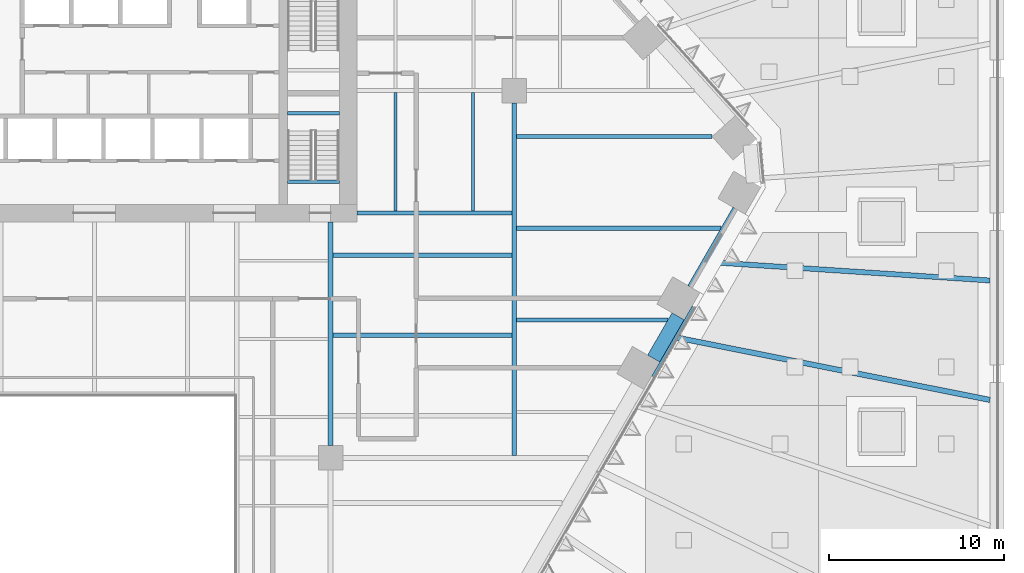
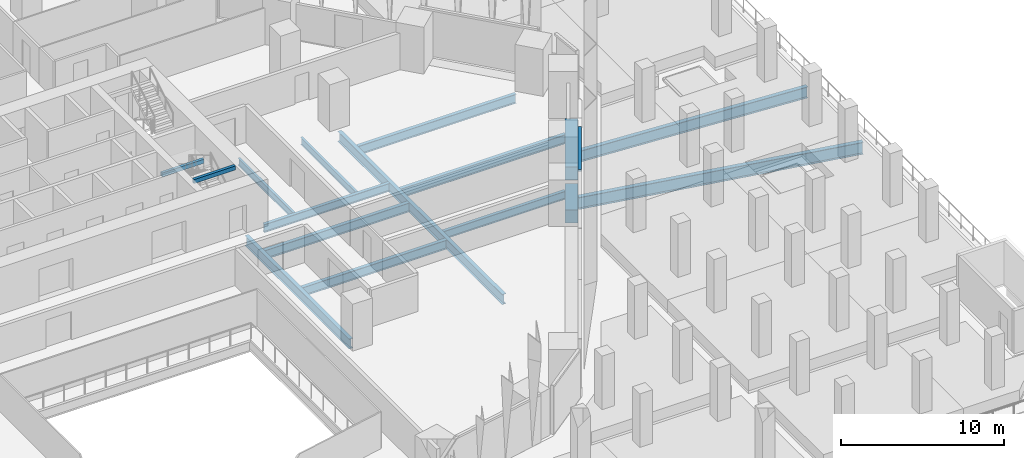
# One storey, part 14 of 51: 16 beams, 1 member, 1 element without a shape of its own.
"""IFC4 building model written with IfcOpenShell, lengths in metres."""

from ifc_helpers import new_model, si_unit, direction, frame, origin, origin_2d, place, context, subcontext, project, spatial, rectangle, i_section, extrude, material, layer, layer_set, material_profile, profile_set, type_object, element, aggregate, save


model = new_model("IFC4")

# Units and contexts
model_context = context("Model", 3, precision=1e-05, world=origin(), true_north=direction((0.0, 1.0)))
body_context = subcontext(model_context, "Body", "Model", "MODEL_VIEW")
ifc_project = project(units=[si_unit("LENGTHUNIT", "METRE"), si_unit("AREAUNIT", "SQUARE_METRE"), si_unit("VOLUMEUNIT", "CUBIC_METRE"), si_unit("PLANEANGLEUNIT", "RADIAN"), si_unit("MASSUNIT", "GRAM", prefix="KILO")], contexts=[model_context])

# Site, building, storey
site_placement = place(None, origin())
site = spatial("IfcSite", under=ifc_project, at=site_placement, CompositionType="ELEMENT")
building_placement = place(site_placement, origin())
building = spatial("IfcBuilding", under=site, at=building_placement, Name="Isthmus Gate Tower", CompositionType="ELEMENT")
storey_placement = place(building_placement, frame((0.0, 0.0, 36.0)))
storey = spatial("IfcBuildingStorey", under=building, at=storey_placement, Name="L06", CompositionType="ELEMENT", Elevation=36.0)

# Curtain wall, member
ifc_material_1 = material(Name="Aluminium, pale champagne anodised", Category="aluminium")
ifc_layer = layer(ifc_material_1, 0.199951171875)
ifc_layer_set = layer_set([ifc_layer], Name="CW-1 UNITISED CURTAIN WALL 200 DEEP")
curtain_wall_type = type_object("IfcCurtainWallType", Name="CW-1 UNITISED CURTAIN WALL 200 DEEP", PredefinedType="NOTDEFINED", material=ifc_layer_set)
curtain_wall_placement = place(storey_placement, origin())
curtain_wall = element("IfcCurtainWall", 1, at=curtain_wall_placement, inside=storey, type_object=curtain_wall_type, Name="CW-1 SE L06", PredefinedType="NOTDEFINED")
ifc_material_2 = material(Name="Aluminium, pale champagne anodised", Category="aluminium")
ifc_material_profile_1 = material_profile(ifc_material_2, rectangle(XDim=0.199951171875, YDim=0.14990234375, at=origin_2d()), Name="200x150")
ifc_profile_set_1 = profile_set([ifc_material_profile_1], Name="Aluminium, pale champagne anodised")
member_type = type_object("IfcMemberType", Name="CW-1 TRANSOM 200 X 150", PredefinedType="USERDEFINED", material=ifc_profile_set_1)
member_placement = place(storey_placement, frame((31.956298828125, -8.85009765625, 3.574951171875), z_axis=(0.499992401796, 0.866029790565, 0.0), x_axis=(-0.866029790565, 0.499992401796, 0.0)))
member = element("IfcMember", 2, at=member_placement, type_object=member_type, Name="CW-1 transom", ObjectType="TRANSOM", PredefinedType="USERDEFINED", context=body_context, shape_type="SweptSolid", body=[
    extrude(rectangle(XDim=0.199951171875, YDim=0.14990234375, at=origin_2d()), origin(), (0.0, 0.0, 1.0), 4.5927734375),
])
aggregate(curtain_wall, [member])

# Beams
ifc_material_3 = material(Name="Concrete f'c 70 MPa", Category="concrete")
ifc_material_profile_2 = material_profile(ifc_material_3, rectangle(XDim=0.800048828125, YDim=1.0, at=origin_2d()), Name="RC 800X1000")
ifc_profile_set_2 = profile_set([ifc_material_profile_2], Name="Concrete f'c 70 MPa")
beam_type_1 = type_object("IfcBeamType", Name="RC SPANDREL 800 X 1000", PredefinedType="SPANDREL", material=ifc_profile_set_2)
beam_1_placement = place(storey_placement, frame((36.8544921875, 0.6337890625, -0.5), z_axis=(-0.50000453793, -0.866022783793, 0.0), x_axis=(0.866022783793, -0.50000453793, 0.0)))
element("IfcBeam", 3, at=beam_1_placement, inside=storey, type_object=beam_type_1, Name="str-spandrel-L06-06", PredefinedType="SPANDREL", context=body_context, shape_type="SweptSolid", body=[
    extrude(rectangle(XDim=0.800048828125, YDim=1.0, at=origin_2d()), origin(), (0.0, 0.0, 1.0), 5.16943359375),
])
beam_2_placement = place(storey_placement, frame((33.369873046875, -5.40185546875, -0.5), z_axis=(-0.500012514453, -0.866018178441, 0.0), x_axis=(0.866018178441, -0.500012514453, 0.0)))
element("IfcBeam", 4, at=beam_2_placement, inside=storey, type_object=beam_type_1, Name="str-spandrel-L06-07", PredefinedType="SPANDREL", context=body_context, shape_type="SweptSolid", body=[
    extrude(rectangle(XDim=0.800048828125, YDim=1.0, at=origin_2d()), origin(), (0.0, 0.0, 1.0), 2.79296875),
])
ifc_material_4 = material(Name="Concrete f'c 40 MPa", Category="concrete")
ifc_material_profile_3 = material_profile(ifc_material_4, rectangle(XDim=0.199951171875, YDim=0.300048828125, at=origin_2d()), Name="STAIR LANDING BEAM RC 200 X 300")
ifc_profile_set_3 = profile_set([ifc_material_profile_3], Name="Concrete f'c 40 MPa")
beam_type_2 = type_object("IfcBeamType", Name="STAIR LANDING BEAM RC 200 X 300", PredefinedType="BEAM", material=ifc_profile_set_3)
for number, where, z_axis, x_axis, name in (
    (5, (11.050048828125, 6.199951171875, 1.47509765625), (1.0, 0.0, 0.0), (0.0, 1.0, 0.0), "L06 ST8 landing beam 1"),
    (6, (11.050048828125, 2.2998046875, 3.35009765625), (1.0, 0.0, 0.0), (0.0, 1.0, 0.0), "L06 ST8 floor-edge seat beam"),
):
    element("IfcBeam", number, at=place(storey_placement, frame(where, z_axis=z_axis, x_axis=x_axis)), inside=storey, type_object=beam_type_2, Name=name, PredefinedType="BEAM", context=body_context, shape_type="SweptSolid", body=[
        extrude(rectangle(XDim=0.199951171875, YDim=0.300048828125, at=origin_2d()), origin(), (0.0, 0.0, 1.0), 2.949951171875),
    ])
ifc_material_5 = material(Name="Structural steel ASTM A992 Gr 50", Category="steel")
ifc_material_profile_4 = material_profile(ifc_material_5, i_section(OverallWidth=0.1650390625, OverallDepth=0.52392578125, WebThickness=0.009521484375, FlangeThickness=0.010986328125, at=origin_2d()), Name="W21X44")
ifc_profile_set_4 = profile_set([ifc_material_profile_4], Name="Structural steel ASTM A992 Gr 50")
beam_type_3 = type_object("IfcBeamType", Name="STEEL FLOOR BEAM W21X44", PredefinedType="JOIST", material=ifc_profile_set_4)
for number, where, z_axis, x_axis, name in (
    (7, (17.216552734375, 0.6142578125, -0.411865234375), (0.0, 1.0, 0.0), (-1.0, 0.0, 0.0), "str-beam-L06-31-00"),
    (8, (21.64990234375, 0.6142578125, -0.411865234375), (0.0, 1.0, 0.0), (-1.0, 0.0, 0.0), "str-beam-L06-31-01"),
):
    element("IfcBeam", number, at=place(storey_placement, frame(where, z_axis=z_axis, x_axis=x_axis)), inside=storey, type_object=beam_type_3, Name=name, PredefinedType="JOIST", context=body_context, shape_type="SweptSolid", body=[
        extrude(i_section(OverallWidth=0.1650390625, OverallDepth=0.52392578125, WebThickness=0.009521484375, FlangeThickness=0.010986328125, at=origin_2d()), origin(), (0.0, 0.0, 1.0), 6.771484375),
    ])
ifc_material_6 = material(Name="Structural steel ASTM A992 Gr 50", Category="steel")
ifc_material_profile_5 = material_profile(ifc_material_6, i_section(OverallWidth=0.228515625, OverallDepth=0.603271484375, WebThickness=0.010986328125, FlangeThickness=0.014404296875, at=origin_2d()), Name="W24X68")
ifc_profile_set_5 = profile_set([ifc_material_profile_5], Name="Structural steel ASTM A992 Gr 50")
beam_type_4 = type_object("IfcBeamType", Name="STEEL FLOOR BEAM W24X68", PredefinedType="JOIST", material=ifc_profile_set_5)
beam_3_placement = place(storey_placement, frame((24.13330078125, -5.625, -0.45166015625), z_axis=(1.0, 0.0, 0.0), x_axis=(0.0, 1.0, 0.0)))
element("IfcBeam", 9, at=beam_3_placement, inside=storey, type_object=beam_type_4, Name="str-beam-L06-34-01", PredefinedType="JOIST", context=body_context, shape_type="SweptSolid", body=[
    extrude(i_section(OverallWidth=0.228515625, OverallDepth=0.603271484375, WebThickness=0.010986328125, FlangeThickness=0.014404296875, at=origin_2d()), origin(), (0.0, 0.0, 1.0), 8.645751953125),
])
ifc_material_7 = material(Name="Structural steel ASTM A992 Gr 50", Category="steel")
ifc_material_profile_6 = material_profile(ifc_material_7, i_section(OverallWidth=0.25390625, OverallDepth=0.679443359375, WebThickness=0.010986328125, FlangeThickness=0.015869140625, at=origin_2d()), Name="W27X84")
ifc_profile_set_6 = profile_set([ifc_material_profile_6], Name="Structural steel ASTM A992 Gr 50")
beam_type_5 = type_object("IfcBeamType", Name="STEEL FLOOR BEAM W27X84", PredefinedType="JOIST", material=ifc_profile_set_6)
for number, where, z_axis, x_axis, name in (
    (10, (13.6318359375, -6.490478515625, -0.48974609375), (1.0, 0.0, 0.0), (0.0, 1.0, 0.0), "str-beam-L06-27-01"),
    (11, (13.6318359375, -1.90625, -0.48974609375), (1.0, 0.0, 0.0), (0.0, 1.0, 0.0), "str-beam-L06-27-02"),
):
    element("IfcBeam", number, at=place(storey_placement, frame(where, z_axis=z_axis, x_axis=x_axis)), inside=storey, type_object=beam_type_5, Name=name, PredefinedType="JOIST", context=body_context, shape_type="SweptSolid", body=[
        extrude(i_section(OverallWidth=0.25390625, OverallDepth=0.679443359375, WebThickness=0.010986328125, FlangeThickness=0.015869140625, at=origin_2d()), origin(), (0.0, 0.0, 1.0), 10.23486328125),
    ])
beam_4_placement = place(storey_placement, frame((24.13330078125, -0.375, -0.48974609375), z_axis=(1.0, 0.0, 0.0), x_axis=(0.0, 1.0, 0.0)))
element("IfcBeam", 12, at=beam_4_placement, inside=storey, type_object=beam_type_5, Name="str-beam-L06-34-02", PredefinedType="JOIST", context=body_context, shape_type="SweptSolid", body=[
    extrude(i_section(OverallWidth=0.25390625, OverallDepth=0.679443359375, WebThickness=0.010986328125, FlangeThickness=0.015869140625, at=origin_2d()), origin(), (0.0, 0.0, 1.0), 11.6767578125),
])
beam_5_placement = place(storey_placement, frame((24.13330078125, 4.875, -0.48974609375), z_axis=(1.0, 0.0, 0.0), x_axis=(0.0, 1.0, 0.0)))
element("IfcBeam", 13, at=beam_5_placement, inside=storey, type_object=beam_type_5, Name="str-beam-L06-34-03", PredefinedType="JOIST", context=body_context, shape_type="SweptSolid", body=[
    extrude(i_section(OverallWidth=0.25390625, OverallDepth=0.679443359375, WebThickness=0.010986328125, FlangeThickness=0.015869140625, at=origin_2d()), origin(), (0.0, 0.0, 1.0), 11.185302734375),
])
ifc_material_8 = material(Name="Structural steel ASTM A992 Gr 50", Category="steel")
ifc_material_profile_7 = material_profile(ifc_material_8, i_section(OverallWidth=0.228515625, OverallDepth=0.6064453125, WebThickness=0.010986328125, FlangeThickness=0.017578125, at=origin_2d()), Name="W24X76")
ifc_profile_set_7 = profile_set([ifc_material_profile_7], Name="Structural steel ASTM A992 Gr 50")
beam_type_6 = type_object("IfcBeamType", Name="STEEL GIRDER W24X76", PredefinedType="BEAM", material=ifc_profile_set_7)
beam_6_placement = place(storey_placement, frame((15.0, 0.5, -0.453125), z_axis=(1.0, 0.0, 0.0), x_axis=(0.0, 1.0, 0.0)))
element("IfcBeam", 14, at=beam_6_placement, inside=storey, type_object=beam_type_6, Name="str-girder-L06-39", PredefinedType="BEAM", context=body_context, shape_type="SweptSolid", body=[
    extrude(i_section(OverallWidth=0.228515625, OverallDepth=0.6064453125, WebThickness=0.010986328125, FlangeThickness=0.017578125, at=origin_2d()), origin(), (0.0, 0.0, 1.0), 8.86669921875),
])
ifc_material_9 = material(Name="Structural steel ASTM A992 Gr 50", Category="steel")
ifc_material_profile_8 = material_profile(ifc_material_9, i_section(OverallWidth=0.2666015625, OverallDepth=0.7587890625, WebThickness=0.014404296875, FlangeThickness=0.01904296875, at=origin_2d()), Name="W30X108")
ifc_profile_set_8 = profile_set([ifc_material_profile_8], Name="Structural steel ASTM A992 Gr 50")
beam_type_7 = type_object("IfcBeamType", Name="STEEL GIRDER W30X108", PredefinedType="BEAM", material=ifc_profile_set_8)
beam_7_placement = place(storey_placement, frame((24.0, -13.36669921875, -0.529296875), z_axis=(0.0, 1.0, 0.0), x_axis=(-1.0, 0.0, 0.0)))
element("IfcBeam", 15, at=beam_7_placement, inside=storey, type_object=beam_type_7, Name="str-girder-L06-35", PredefinedType="BEAM", context=body_context, shape_type="SweptSolid", body=[
    extrude(i_section(OverallWidth=0.2666015625, OverallDepth=0.7587890625, WebThickness=0.014404296875, FlangeThickness=0.01904296875, at=origin_2d()), origin(), (0.0, 0.0, 1.0), 20.166748046875),
])
ifc_material_10 = material(Name="Structural steel ASTM A992 Gr 50", Category="steel")
ifc_material_profile_9 = material_profile(ifc_material_10, i_section(OverallWidth=0.263427734375, OverallDepth=0.749267578125, WebThickness=0.0126953125, FlangeThickness=0.015869140625, at=origin_2d()), Name="W30X90")
ifc_profile_set_9 = profile_set([ifc_material_profile_9], Name="Structural steel ASTM A992 Gr 50")
beam_type_8 = type_object("IfcBeamType", Name="STEEL GIRDER W30X90", PredefinedType="BEAM", material=ifc_profile_set_9)
beam_8_placement = place(storey_placement, frame((13.5, -12.800048828125, -0.524658203125), z_axis=(0.0, 1.0, 0.0), x_axis=(-1.0, 0.0, 0.0)))
element("IfcBeam", 16, at=beam_8_placement, inside=storey, type_object=beam_type_8, Name="str-girder-L06-32", PredefinedType="BEAM", context=body_context, shape_type="SweptSolid", body=[
    extrude(i_section(OverallWidth=0.263427734375, OverallDepth=0.749267578125, WebThickness=0.0126953125, FlangeThickness=0.015869140625, at=origin_2d()), origin(), (0.0, 0.0, 1.0), 12.800048828125),
])
ifc_material_11 = material(Name="Structural steel ASTM A992 Gr 50", Category="steel")
ifc_material_profile_10 = material_profile(ifc_material_11, i_section(OverallWidth=0.2919921875, OverallDepth=0.8349609375, WebThickness=0.014404296875, FlangeThickness=0.01904296875, at=origin_2d()), Name="W33X118")
ifc_profile_set_10 = profile_set([ifc_material_profile_10], Name="Structural steel ASTM A992 Gr 50")
beam_type_9 = type_object("IfcBeamType", Name="STEEL LEDGE BEAM W33X118", PredefinedType="JOIST", material=ifc_profile_set_10)
beam_9_placement = place(storey_placement, frame((35.60302734375, -2.33349609375, -0.5673828125), z_axis=(0.997859172086, -0.065399332449, 0.0), x_axis=(0.065399332449, 0.997859172086, 0.0)))
element("IfcBeam", 17, at=beam_9_placement, inside=storey, type_object=beam_type_9, Name="str-ringbeam-L06-00-49", PredefinedType="JOIST", context=body_context, shape_type="SweptSolid", body=[
    extrude(i_section(OverallWidth=0.2919921875, OverallDepth=0.8349609375, WebThickness=0.014404296875, FlangeThickness=0.01904296875, at=origin_2d()), origin(), (0.0, 0.0, 1.0), 15.63037109375),
])
ifc_material_12 = material(Name="Structural steel ASTM A992 Gr 50", Category="steel")
ifc_material_profile_11 = material_profile(ifc_material_12, i_section(OverallWidth=0.3046875, OverallDepth=0.901611328125, WebThickness=0.015869140625, FlangeThickness=0.0205078125, at=origin_2d()), Name="W36X135")
ifc_profile_set_11 = profile_set([ifc_material_profile_11], Name="Structural steel ASTM A992 Gr 50")
beam_type_10 = type_object("IfcBeamType", Name="STEEL LEDGE BEAM W36X135", PredefinedType="JOIST", material=ifc_profile_set_11)
beam_10_placement = place(storey_placement, frame((33.14404296875, -6.5927734375, -0.600830078125), z_axis=(0.980785183863, -0.195090807358, 0.0), x_axis=(0.195090807358, 0.980785183863, 0.0)))
element("IfcBeam", 18, at=beam_10_placement, inside=storey, type_object=beam_type_10, Name="str-ringbeam-L06-00-48", PredefinedType="JOIST", context=body_context, shape_type="SweptSolid", body=[
    extrude(i_section(OverallWidth=0.3046875, OverallDepth=0.901611328125, WebThickness=0.015869140625, FlangeThickness=0.0205078125, at=origin_2d()), origin(), (0.0, 0.0, 1.0), 18.40966796875),
])

save(model, "model.ifc")
